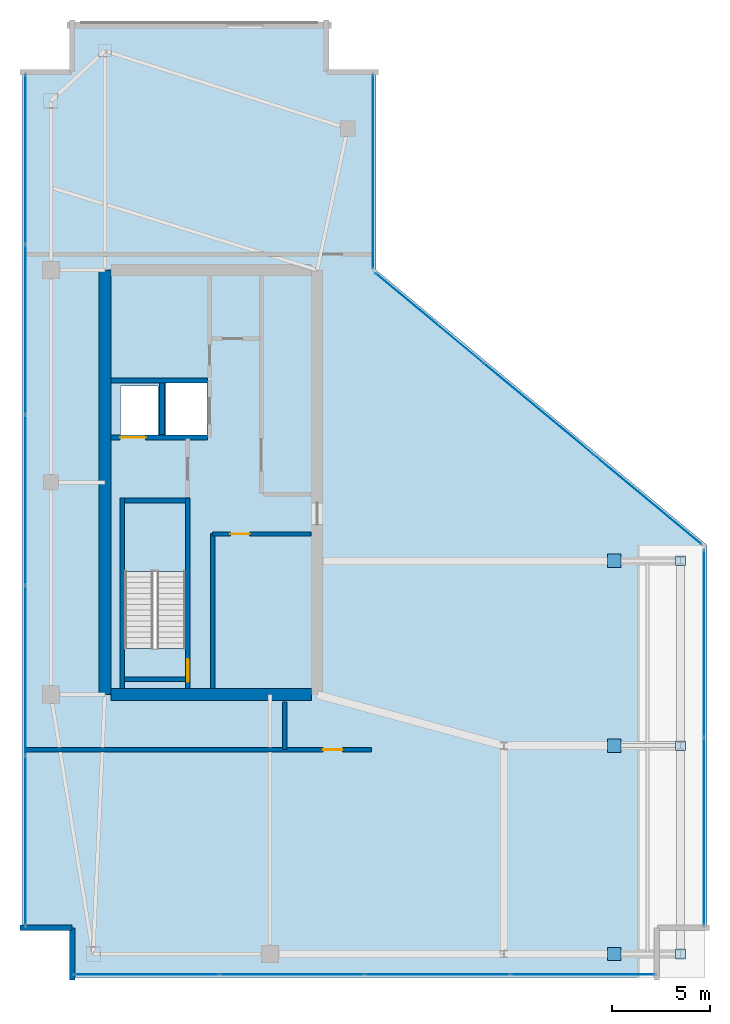
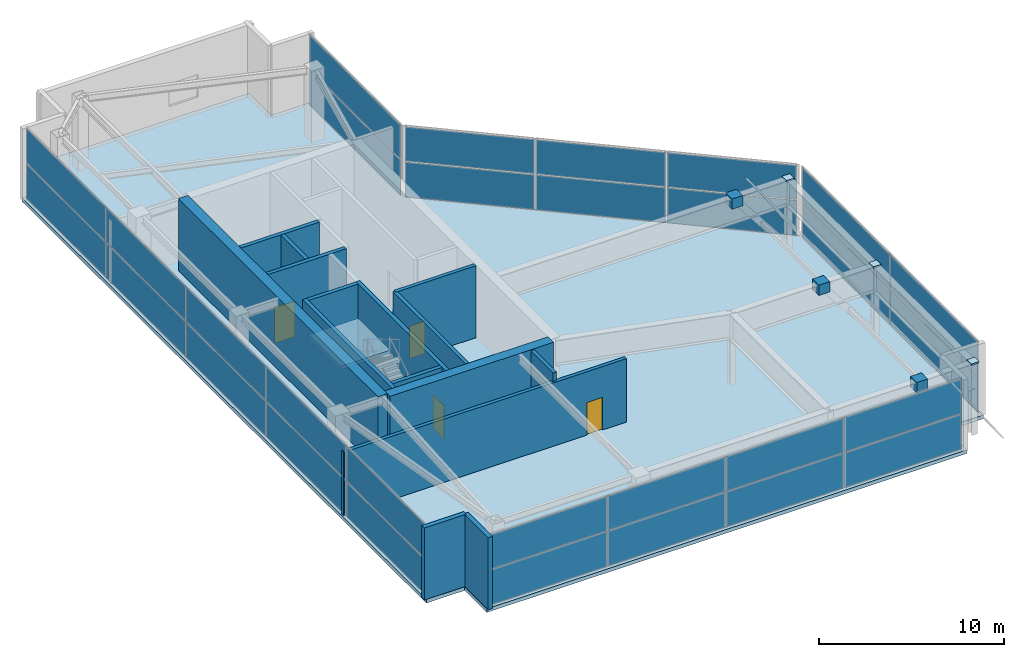
# One storey, part 18 of 21: 36 plates, 15 walls, 4 doors, 2 slabs, 4 openings, 6 elements without a shape of their own.
"""IFC4 building model written with IfcOpenShell, lengths in metres."""

import ifcopenshell
import ifcopenshell.guid

model = None  # the IFC model being written
_history = None  # IfcOwnerHistory: only IFC2X3 demands one
_inside = {}  # id of a spatial element -> (the spatial element, [elements in it])
_under = {}  # id of a project, library or spatial element -> (it, [spatial elements below it])
_declared = {}  # id of a project -> (the project, [libraries it declares])
_typed = {}  # id of a type object -> (the type object, [elements of that type])
_made_of = {}  # id of a material, layer set ... -> (it, [elements and type objects made of it])


def new_model(schema):
    """Start an empty IFC model of exactly this schema.

    Asked for "IFC4X3", IfcOpenShell would pick the latest addendum, in which some entities
    have other attributes; the version numbers below select the first issue.
    IFC2X3 requires an IfcOwnerHistory on every rooted entity: one is made here for all.
    """
    global model, _history
    if schema == "IFC4X3":
        model = ifcopenshell.file(schema_version=(4, 3, 0, 0))
    else:
        model = ifcopenshell.file(schema=schema)
    _inside.clear()
    _under.clear()
    _declared.clear()
    _typed.clear()
    _made_of.clear()
    _history = None
    if model.schema == "IFC2X3":
        org = make("IfcOrganization", Name="unknown")
        user = make(
            "IfcPersonAndOrganization",
            ThePerson=make("IfcPerson", FamilyName="unknown"),
            TheOrganization=org,
        )
        app = make(
            "IfcApplication",
            ApplicationDeveloper=org,
            Version="unknown",
            ApplicationFullName="unknown",
            ApplicationIdentifier="unknown",
        )
        _history = make(
            "IfcOwnerHistory",
            OwningUser=user,
            OwningApplication=app,
            ChangeAction="ADDED",
            CreationDate=0,
        )
    return model


def make(cls, **values):
    """One entity of the class cls with the attributes given. An attribute that is None is left unset."""
    return model.create_entity(
        cls, **{name: value for name, value in values.items() if value is not None}
    )


def rooted(cls, **values):
    """An entity with a GlobalId (a new one), such as an element, a storey or a relation."""
    return make(cls, GlobalId=ifcopenshell.guid.new(), OwnerHistory=_history, **values)


def si_unit(unit_type, name, prefix=None):
    """IfcSIUnit, for example si_unit("LENGTHUNIT", "METRE", prefix="MILLI")."""
    return make("IfcSIUnit", UnitType=unit_type, Prefix=prefix, Name=name)


def assignment(units):
    """IfcUnitAssignment: the units of a project."""
    return None if units is None else make("IfcUnitAssignment", Units=units)


def point(xyz):
    """IfcCartesianPoint."""
    return None if xyz is None else make("IfcCartesianPoint", Coordinates=xyz)


def direction(xyz):
    """IfcDirection."""
    return None if xyz is None else make("IfcDirection", DirectionRatios=xyz)


def frame(location, z_axis=None, x_axis=None):
    """IfcAxis2Placement3D, a coordinate frame: its origin and axes. An axis left out is left unset."""
    return make(
        "IfcAxis2Placement3D",
        Location=point(location),
        Axis=direction(z_axis),
        RefDirection=direction(x_axis),
    )


def frame_2d(location, x_axis=None):
    """IfcAxis2Placement2D, a coordinate frame in the plane: its origin and x axis."""
    return make(
        "IfcAxis2Placement2D", Location=point(location), RefDirection=direction(x_axis)
    )


def origin():
    """The frame at (0, 0, 0) with its axes left unset."""
    return frame((0.0, 0.0, 0.0))


def origin_2d():
    """The frame at (0, 0) in the plane with its x axis left unset."""
    return frame_2d((0.0, 0.0))


def place(relative_to, where):
    """IfcLocalPlacement: puts the frame where relative to a parent placement (None: the world)."""
    return make(
        "IfcLocalPlacement", PlacementRelTo=relative_to, RelativePlacement=where
    )


def context(
    kind, dimensions, precision=None, world=None, true_north=None, identifier=None
):
    """IfcGeometricRepresentationContext, for example the 3D "Model" context."""
    return make(
        "IfcGeometricRepresentationContext",
        ContextIdentifier=identifier,
        ContextType=kind,
        CoordinateSpaceDimension=dimensions,
        Precision=precision,
        WorldCoordinateSystem=world,
        TrueNorth=true_north,
    )


def subcontext(parent, identifier, kind, view, scale=None):
    """IfcGeometricRepresentationSubContext, for example "Body" below "Model"."""
    return make(
        "IfcGeometricRepresentationSubContext",
        ContextIdentifier=identifier,
        ContextType=kind,
        ParentContext=parent,
        TargetScale=scale,
        TargetView=view,
    )


def project(units=None, contexts=None):
    """IfcProject with its units and contexts."""
    return rooted(
        "IfcProject",
        Name="project",
        RepresentationContexts=contexts,
        UnitsInContext=assignment(units),
    )


def spatial(cls, under=None, at=None, **own):
    """A site, building, storey or space (cls), placed at a placement, below another one or the project."""
    s = rooted(cls, ObjectPlacement=at, **own)
    if under is not None:
        _under.setdefault(under.id(), (under, []))[1].append(s)
    return s


def polyline(points):
    """IfcPolyline through the points."""
    return make("IfcPolyline", Points=[point(p) for p in points])


def profile(cls, at=None, kind="AREA", **sizes):
    """A parametric profile (cls). Its sizes go by their IFC names, for example OverallWidth=200.0."""
    return make(cls, ProfileType=kind, Position=at, **sizes)


def rectangle(**sizes):
    """IfcRectangleProfileDef."""
    return profile("IfcRectangleProfileDef", **sizes)


def outline(outer, holes=None, kind="AREA"):
    """IfcArbitraryClosedProfileDef: a profile drawn as a closed curve; with holes, ...WithVoids."""
    if holes is None:
        return make("IfcArbitraryClosedProfileDef", ProfileType=kind, OuterCurve=outer)
    return make(
        "IfcArbitraryProfileDefWithVoids",
        ProfileType=kind,
        OuterCurve=outer,
        InnerCurves=holes,
    )


def extrude(swept, where, along, depth):
    """IfcExtrudedAreaSolid: the profile swept, set in the frame where, extruded along a direction by depth."""
    return make(
        "IfcExtrudedAreaSolid",
        SweptArea=swept,
        Position=where,
        ExtrudedDirection=direction(along),
        Depth=depth,
    )


def shape(context_of_items, identifier, shape_type, items):
    """IfcShapeRepresentation: the items that make up one representation, for example the "Body"."""
    return make(
        "IfcShapeRepresentation",
        ContextOfItems=context_of_items,
        RepresentationIdentifier=identifier,
        RepresentationType=shape_type,
        Items=items,
    )


def material(Name=None, Category=None):
    """IfcMaterial."""
    return make("IfcMaterial", Name=Name, Category=Category)


def layer(
    of_material, thickness, ventilated=None, Name=None, Category=None, Priority=None
):
    """IfcMaterialLayer: one layer of a wall or slab, of a material (None: an air gap)."""
    return make(
        "IfcMaterialLayer",
        Material=of_material,
        LayerThickness=thickness,
        IsVentilated=ventilated,
        Name=Name,
        Category=Category,
        Priority=Priority,
    )


def layer_set(layers, Name=None):
    """IfcMaterialLayerSet."""
    return make("IfcMaterialLayerSet", MaterialLayers=layers, LayerSetName=Name)


def made_of(thing, what):
    """Note that an element or type object is made of a material, layer set ...; save() writes the relation."""
    if what is not None:
        _made_of.setdefault(what.id(), (what, []))[1].append(thing)
    return thing


def type_object(cls, material=None, **own):
    """A type object (cls), such as IfcWallType, which elements share."""
    return made_of(rooted(cls, **own), material)


def element(
    cls,
    number,
    at=None,
    inside=None,
    cuts=None,
    type_object=None,
    material=None,
    context=None,
    identifier="Body",
    shape_type=None,
    held_by="IfcProductDefinitionShape",
    body=None,
    shapes=None,
    **own,
):
    """One element of the class cls, such as IfcWall. Its Tag is "e" and its number.

    at: its placement. inside: the storey or other place that contains it. cuts: it is an
    opening in that element (IfcRelVoidsElement). A single representation is given by context,
    identifier, shape_type and body (its items); several are given by shapes. held_by: the class
    of the entity that holds the representations. save() writes the other relations.
    """
    e = rooted(cls, Tag="e%d" % number, ObjectPlacement=at, **own)
    if body is not None:
        shapes = [shape(context, identifier, shape_type, body)]
    if shapes is not None:
        e.Representation = make(held_by, Representations=shapes)
    if inside is not None:
        _inside.setdefault(inside.id(), (inside, []))[1].append(e)
    if cuts is not None:
        rooted(
            "IfcRelVoidsElement", RelatingBuildingElement=cuts, RelatedOpeningElement=e
        )
    if type_object is not None:
        _typed.setdefault(type_object.id(), (type_object, []))[1].append(e)
    return made_of(e, material)


def fill(opening, filler):
    """IfcRelFillsElement: the door or window that sits in an opening."""
    return rooted(
        "IfcRelFillsElement",
        RelatingOpeningElement=opening,
        RelatedBuildingElement=filler,
    )


def aggregate(whole, parts):
    """IfcRelAggregates: a whole, such as a stair, and the parts it consists of."""
    return rooted("IfcRelAggregates", RelatingObject=whole, RelatedObjects=parts)


def save(model, path):
    """Write the relations noted so far, then the file.

    IfcRelAggregates (storeys below a building ...), IfcRelContainedInSpatialStructure (elements
    in a storey), IfcRelDefinesByType, IfcRelAssociatesMaterial and IfcRelDeclares: one each for
    every whole, place, type object, material and project.
    """
    for whole, parts in _under.values():
        aggregate(whole, parts)
    for where, things in _inside.values():
        rooted(
            "IfcRelContainedInSpatialStructure",
            RelatedElements=things,
            RelatingStructure=where,
        )
    for kind, things in _typed.values():
        rooted("IfcRelDefinesByType", RelatedObjects=things, RelatingType=kind)
    for what, things in _made_of.values():
        rooted("IfcRelAssociatesMaterial", RelatedObjects=things, RelatingMaterial=what)
    for by, libraries in _declared.values():
        rooted("IfcRelDeclares", RelatingContext=by, RelatedDefinitions=libraries)
    model.write(path)


model = new_model("IFC4")

# Units and contexts
model_context = context("Model", 3, precision=1e-05, world=origin(), true_north=direction((0.0, 1.0)))
body_context = subcontext(model_context, "Body", "Model", "MODEL_VIEW")
ifc_project = project(units=[si_unit("LENGTHUNIT", "METRE"), si_unit("AREAUNIT", "SQUARE_METRE"), si_unit("VOLUMEUNIT", "CUBIC_METRE"), si_unit("PLANEANGLEUNIT", "RADIAN"), si_unit("MASSUNIT", "GRAM", prefix="KILO")], contexts=[model_context])

# Site, building, storey
site_placement = place(None, origin())
site = spatial("IfcSite", under=ifc_project, at=site_placement, CompositionType="ELEMENT")
building_placement = place(site_placement, origin())
building = spatial("IfcBuilding", under=site, at=building_placement, Name="Calvorn Quay Hotel", CompositionType="ELEMENT")
storey_placement = place(building_placement, frame((0.0, 0.0, 320.5)))
storey = spatial("IfcBuildingStorey", under=building, at=storey_placement, Name="L79", CompositionType="ELEMENT", Elevation=320.5)

# Curtain wall, plates
ifc_material_1 = material(Name="Pale Anodised Aluminium and Laminated Glass", Category="aluminium")
ifc_layer_1 = layer(ifc_material_1, 0.219970703125)
ifc_layer_set_1 = layer_set([ifc_layer_1], Name="CW-SYS-CRN")
curtain_wall_type = type_object("IfcCurtainWallType", Name="CW-SYS-CRN", PredefinedType="NOTDEFINED", material=ifc_layer_set_1)
curtain_wall_1_placement = place(storey_placement, origin())
curtain_wall_1 = element("IfcCurtainWall", 1, at=curtain_wall_1_placement, inside=storey, type_object=curtain_wall_type, Name="Crown Curtain Wall L79-C1", PredefinedType="NOTDEFINED")
ifc_material_2 = material(Name="Low-E Laminated Double Glazing", Category="glass")
ifc_layer_2 = layer(ifc_material_2, 0.028076171875)
ifc_layer_set_2 = layer_set([ifc_layer_2], Name="CW-SYS-CRN-PAN")
plate_type_1 = type_object("IfcPlateType", Name="CW-SYS-CRN-PAN", PredefinedType="CURTAIN_PANEL", material=ifc_layer_set_2)
plate_1_placement = place(storey_placement, frame((6.334228515625, 2.550048828125, 0.06005859375), z_axis=(0.0, 0.0, 1.0), x_axis=(1.0, 0.0, 0.0)))
plate_1 = element("IfcPlate", 2, at=plate_1_placement, type_object=plate_type_1, Name="CW-L79-C1 panel 1.1", PredefinedType="CURTAIN_PANEL", context=body_context, shape_type="SweptSolid", body=[
    extrude(rectangle(XDim=7.308349609375, YDim=0.028076171875, at=origin_2d()), origin(), (0.0, 0.0, 1.0), 2.31005859375),
])
plate_2_placement = place(storey_placement, frame((6.334228515625, 2.550048828125, 2.429931640625), z_axis=(0.0, 0.0, 1.0), x_axis=(1.0, 0.0, 0.0)))
plate_2 = element("IfcPlate", 3, at=plate_2_placement, type_object=plate_type_1, Name="CW-L79-C1 panel 1.2", PredefinedType="CURTAIN_PANEL", context=body_context, shape_type="SweptSolid", body=[
    extrude(rectangle(XDim=7.308349609375, YDim=0.028076171875, at=origin_2d()), origin(), (0.0, 0.0, 1.0), 2.27001953125),
])
plate_3_placement = place(storey_placement, frame((13.71728515625, 2.550048828125, 0.06005859375), z_axis=(0.0, 0.0, 1.0), x_axis=(1.0, 0.0, 0.0)))
plate_3 = element("IfcPlate", 4, at=plate_3_placement, type_object=plate_type_1, Name="CW-L79-C1 panel 2.1", PredefinedType="CURTAIN_PANEL", context=body_context, shape_type="SweptSolid", body=[
    extrude(rectangle(XDim=7.338134765625, YDim=0.028076171875, at=origin_2d()), origin(), (0.0, 0.0, 1.0), 2.31005859375),
])
plate_4_placement = place(storey_placement, frame((13.71728515625, 2.550048828125, 2.429931640625), z_axis=(0.0, 0.0, 1.0), x_axis=(1.0, 0.0, 0.0)))
plate_4 = element("IfcPlate", 5, at=plate_4_placement, type_object=plate_type_1, Name="CW-L79-C1 panel 2.2", PredefinedType="CURTAIN_PANEL", context=body_context, shape_type="SweptSolid", body=[
    extrude(rectangle(XDim=7.338134765625, YDim=0.028076171875, at=origin_2d()), origin(), (0.0, 0.0, 1.0), 2.27001953125),
])
plate_5_placement = place(storey_placement, frame((21.11572265625, 2.550048828125, 0.06005859375), z_axis=(0.0, 0.0, 1.0), x_axis=(1.0, 0.0, 0.0)))
plate_5 = element("IfcPlate", 6, at=plate_5_placement, type_object=plate_type_1, Name="CW-L79-C1 panel 3.1", PredefinedType="CURTAIN_PANEL", context=body_context, shape_type="SweptSolid", body=[
    extrude(rectangle(XDim=7.338134765625, YDim=0.028076171875, at=origin_2d()), origin(), (0.0, 0.0, 1.0), 2.31005859375),
])
plate_6_placement = place(storey_placement, frame((21.11572265625, 2.550048828125, 2.429931640625), z_axis=(0.0, 0.0, 1.0), x_axis=(1.0, 0.0, 0.0)))
plate_6 = element("IfcPlate", 7, at=plate_6_placement, type_object=plate_type_1, Name="CW-L79-C1 panel 3.2", PredefinedType="CURTAIN_PANEL", context=body_context, shape_type="SweptSolid", body=[
    extrude(rectangle(XDim=7.338134765625, YDim=0.028076171875, at=origin_2d()), origin(), (0.0, 0.0, 1.0), 2.27001953125),
])
plate_7_placement = place(storey_placement, frame((28.498779296875, 2.550048828125, 0.06005859375), z_axis=(0.0, 0.0, 1.0), x_axis=(1.0, 0.0, 0.0)))
plate_7 = element("IfcPlate", 8, at=plate_7_placement, type_object=plate_type_1, Name="CW-L79-C1 panel 4.1", PredefinedType="CURTAIN_PANEL", context=body_context, shape_type="SweptSolid", body=[
    extrude(rectangle(XDim=7.308349609375, YDim=0.028076171875, at=origin_2d()), origin(), (0.0, 0.0, 1.0), 2.31005859375),
])
plate_8_placement = place(storey_placement, frame((28.498779296875, 2.550048828125, 2.429931640625), z_axis=(0.0, 0.0, 1.0), x_axis=(1.0, 0.0, 0.0)))
plate_8 = element("IfcPlate", 9, at=plate_8_placement, type_object=plate_type_1, Name="CW-L79-C1 panel 4.2", PredefinedType="CURTAIN_PANEL", context=body_context, shape_type="SweptSolid", body=[
    extrude(rectangle(XDim=7.308349609375, YDim=0.028076171875, at=origin_2d()), origin(), (0.0, 0.0, 1.0), 2.27001953125),
])
aggregate(curtain_wall_1, [plate_1, plate_2, plate_3, plate_4, plate_5, plate_6, plate_7, plate_8])

curtain_wall_2_placement = place(storey_placement, origin())
curtain_wall_2 = element("IfcCurtainWall", 10, at=curtain_wall_2_placement, inside=storey, type_object=curtain_wall_type, Name="Crown Curtain Wall L79-C2", PredefinedType="NOTDEFINED")
plate_9_placement = place(storey_placement, frame((34.68310546875, 9.824951171875, 0.06005859375), z_axis=(0.0, 0.0, 1.0), x_axis=(0.0, 1.0, 0.0)))
plate_9 = element("IfcPlate", 11, at=plate_9_placement, type_object=plate_type_1, Name="CW-L79-C2 panel 1.1", PredefinedType="CURTAIN_PANEL", context=body_context, shape_type="SweptSolid", body=[
    extrude(rectangle(XDim=9.489990234375, YDim=0.028076171875, at=origin_2d()), origin(), (0.0, 0.0, 1.0), 2.31005859375),
])
plate_10_placement = place(storey_placement, frame((34.68310546875, 9.824951171875, 2.429931640625), z_axis=(0.0, 0.0, 1.0), x_axis=(0.0, 1.0, 0.0)))
plate_10 = element("IfcPlate", 12, at=plate_10_placement, type_object=plate_type_1, Name="CW-L79-C2 panel 1.2", PredefinedType="CURTAIN_PANEL", context=body_context, shape_type="SweptSolid", body=[
    extrude(rectangle(XDim=9.489990234375, YDim=0.028076171875, at=origin_2d()), origin(), (0.0, 0.0, 1.0), 2.27001953125),
])
plate_11_placement = place(storey_placement, frame((34.68310546875, 19.375, 0.06005859375), z_axis=(0.0, 0.0, 1.0), x_axis=(0.0, 1.0, 0.0)))
plate_11 = element("IfcPlate", 13, at=plate_11_placement, type_object=plate_type_1, Name="CW-L79-C2 panel 2.1", PredefinedType="CURTAIN_PANEL", context=body_context, shape_type="SweptSolid", body=[
    extrude(rectangle(XDim=9.489990234375, YDim=0.028076171875, at=origin_2d()), origin(), (0.0, 0.0, 1.0), 2.31005859375),
])
plate_12_placement = place(storey_placement, frame((34.68310546875, 19.375, 2.429931640625), z_axis=(0.0, 0.0, 1.0), x_axis=(0.0, 1.0, 0.0)))
plate_12 = element("IfcPlate", 14, at=plate_12_placement, type_object=plate_type_1, Name="CW-L79-C2 panel 2.2", PredefinedType="CURTAIN_PANEL", context=body_context, shape_type="SweptSolid", body=[
    extrude(rectangle(XDim=9.489990234375, YDim=0.028076171875, at=origin_2d()), origin(), (0.0, 0.0, 1.0), 2.27001953125),
])
aggregate(curtain_wall_2, [plate_9, plate_10, plate_11, plate_12])

curtain_wall_3_placement = place(storey_placement, origin())
curtain_wall_3 = element("IfcCurtainWall", 15, at=curtain_wall_3_placement, inside=storey, type_object=curtain_wall_type, Name="Crown Curtain Wall L79-C3", PredefinedType="NOTDEFINED")
plate_13_placement = place(storey_placement, frame((31.78173828125, 26.7431640625, 0.06005859375), z_axis=(0.0, 0.0, 1.0), x_axis=(-0.768860610759, 0.639416422391, 0.0)))
plate_13 = element("IfcPlate", 16, at=plate_13_placement, type_object=plate_type_1, Name="CW-L79-C3 panel 1.1", PredefinedType="CURTAIN_PANEL", context=body_context, shape_type="SweptSolid", body=[
    extrude(rectangle(XDim=7.1279296875, YDim=0.028076171875, at=origin_2d()), origin(), (0.0, 0.0, 1.0), 2.31005859375),
])
plate_14_placement = place(storey_placement, frame((31.78173828125, 26.7431640625, 2.429931640625), z_axis=(0.0, 0.0, 1.0), x_axis=(-0.768860610759, 0.639416422391, 0.0)))
plate_14 = element("IfcPlate", 17, at=plate_14_placement, type_object=plate_type_1, Name="CW-L79-C3 panel 1.2", PredefinedType="CURTAIN_PANEL", context=body_context, shape_type="SweptSolid", body=[
    extrude(rectangle(XDim=7.1279296875, YDim=0.028076171875, at=origin_2d()), origin(), (0.0, 0.0, 1.0), 2.27001953125),
])
plate_15_placement = place(storey_placement, frame((26.243408203125, 31.34912109375, 0.06005859375), z_axis=(0.0, 0.0, 1.0), x_axis=(-0.768860610759, 0.639416422391, 0.0)))
plate_15 = element("IfcPlate", 18, at=plate_15_placement, type_object=plate_type_1, Name="CW-L79-C3 panel 2.1", PredefinedType="CURTAIN_PANEL", context=body_context, shape_type="SweptSolid", body=[
    extrude(rectangle(XDim=7.157958984375, YDim=0.028076171875, at=origin_2d()), origin(), (0.0, 0.0, 1.0), 2.31005859375),
])
plate_16_placement = place(storey_placement, frame((26.243408203125, 31.34912109375, 2.429931640625), z_axis=(0.0, 0.0, 1.0), x_axis=(-0.768860610759, 0.639416422391, 0.0)))
plate_16 = element("IfcPlate", 19, at=plate_16_placement, type_object=plate_type_1, Name="CW-L79-C3 panel 2.2", PredefinedType="CURTAIN_PANEL", context=body_context, shape_type="SweptSolid", body=[
    extrude(rectangle(XDim=7.157958984375, YDim=0.028076171875, at=origin_2d()), origin(), (0.0, 0.0, 1.0), 2.27001953125),
])
plate_17_placement = place(storey_placement, frame((20.705322265625, 35.954833984375, 0.06005859375), z_axis=(0.0, 0.0, 1.0), x_axis=(-0.768860610759, 0.639416422391, 0.0)))
plate_17 = element("IfcPlate", 20, at=plate_17_placement, type_object=plate_type_1, Name="CW-L79-C3 panel 3.1", PredefinedType="CURTAIN_PANEL", context=body_context, shape_type="SweptSolid", body=[
    extrude(rectangle(XDim=7.1279296875, YDim=0.028076171875, at=origin_2d()), origin(), (0.0, 0.0, 1.0), 2.31005859375),
])
plate_18_placement = place(storey_placement, frame((20.705322265625, 35.954833984375, 2.429931640625), z_axis=(0.0, 0.0, 1.0), x_axis=(-0.768860610759, 0.639416422391, 0.0)))
plate_18 = element("IfcPlate", 21, at=plate_18_placement, type_object=plate_type_1, Name="CW-L79-C3 panel 3.2", PredefinedType="CURTAIN_PANEL", context=body_context, shape_type="SweptSolid", body=[
    extrude(rectangle(XDim=7.1279296875, YDim=0.028076171875, at=origin_2d()), origin(), (0.0, 0.0, 1.0), 2.27001953125),
])
aggregate(curtain_wall_3, [plate_13, plate_14, plate_15, plate_16, plate_17, plate_18])

curtain_wall_4_placement = place(storey_placement, origin())
curtain_wall_4 = element("IfcCurtainWall", 22, at=curtain_wall_4_placement, inside=storey, type_object=curtain_wall_type, Name="Crown Curtain Wall L79-C4", PredefinedType="NOTDEFINED")
plate_19_placement = place(storey_placement, frame((17.85009765625, 43.39990234375, 0.06005859375), z_axis=(0.0, 0.0, 1.0), x_axis=(0.0, 1.0, 0.0)))
plate_19 = element("IfcPlate", 23, at=plate_19_placement, type_object=plate_type_1, Name="CW-L79-C4 panel 1.1", PredefinedType="CURTAIN_PANEL", context=body_context, shape_type="SweptSolid", body=[
    extrude(rectangle(XDim=9.840087890625, YDim=0.028076171875, at=origin_2d()), origin(), (0.0, 0.0, 1.0), 2.31005859375),
])
plate_20_placement = place(storey_placement, frame((17.85009765625, 43.39990234375, 2.429931640625), z_axis=(0.0, 0.0, 1.0), x_axis=(0.0, 1.0, 0.0)))
plate_20 = element("IfcPlate", 24, at=plate_20_placement, type_object=plate_type_1, Name="CW-L79-C4 panel 1.2", PredefinedType="CURTAIN_PANEL", context=body_context, shape_type="SweptSolid", body=[
    extrude(rectangle(XDim=9.840087890625, YDim=0.028076171875, at=origin_2d()), origin(), (0.0, 0.0, 1.0), 2.27001953125),
])
aggregate(curtain_wall_4, [plate_19, plate_20])

curtain_wall_5_placement = place(storey_placement, origin())
curtain_wall_5 = element("IfcCurtainWall", 25, at=curtain_wall_5_placement, inside=storey, type_object=curtain_wall_type, Name="Crown Curtain Wall L79-C5", PredefinedType="NOTDEFINED")
plate_21_placement = place(storey_placement, frame((0.14990234375, 44.029052734375, 0.06005859375), z_axis=(0.0, 0.0, 1.0), x_axis=(0.0, -1.0, 0.0)))
plate_21 = element("IfcPlate", 26, at=plate_21_placement, type_object=plate_type_1, Name="CW-L79-C5 panel 1.1", PredefinedType="CURTAIN_PANEL", context=body_context, shape_type="SweptSolid", body=[
    extrude(rectangle(XDim=8.58203125, YDim=0.028076171875, at=origin_2d()), origin(), (0.0, 0.0, 1.0), 2.31005859375),
])
plate_22_placement = place(storey_placement, frame((0.14990234375, 44.029052734375, 2.429931640625), z_axis=(0.0, 0.0, 1.0), x_axis=(0.0, -1.0, 0.0)))
plate_22 = element("IfcPlate", 27, at=plate_22_placement, type_object=plate_type_1, Name="CW-L79-C5 panel 1.2", PredefinedType="CURTAIN_PANEL", context=body_context, shape_type="SweptSolid", body=[
    extrude(rectangle(XDim=8.58203125, YDim=0.028076171875, at=origin_2d()), origin(), (0.0, 0.0, 1.0), 2.27001953125),
])
plate_23_placement = place(storey_placement, frame((0.14990234375, 35.3720703125, 0.06005859375), z_axis=(0.0, 0.0, 1.0), x_axis=(0.0, -1.0, 0.0)))
plate_23 = element("IfcPlate", 28, at=plate_23_placement, type_object=plate_type_1, Name="CW-L79-C5 panel 2.1", PredefinedType="CURTAIN_PANEL", context=body_context, shape_type="SweptSolid", body=[
    extrude(rectangle(XDim=8.612060546875, YDim=0.028076171875, at=origin_2d()), origin(), (0.0, 0.0, 1.0), 2.31005859375),
])
plate_24_placement = place(storey_placement, frame((0.14990234375, 35.3720703125, 2.429931640625), z_axis=(0.0, 0.0, 1.0), x_axis=(0.0, -1.0, 0.0)))
plate_24 = element("IfcPlate", 29, at=plate_24_placement, type_object=plate_type_1, Name="CW-L79-C5 panel 2.2", PredefinedType="CURTAIN_PANEL", context=body_context, shape_type="SweptSolid", body=[
    extrude(rectangle(XDim=8.612060546875, YDim=0.028076171875, at=origin_2d()), origin(), (0.0, 0.0, 1.0), 2.27001953125),
])
plate_25_placement = place(storey_placement, frame((0.14990234375, 26.699951171875, 0.06005859375), z_axis=(0.0, 0.0, 1.0), x_axis=(0.0, -1.0, 0.0)))
plate_25 = element("IfcPlate", 30, at=plate_25_placement, type_object=plate_type_1, Name="CW-L79-C5 panel 3.1", PredefinedType="CURTAIN_PANEL", context=body_context, shape_type="SweptSolid", body=[
    extrude(rectangle(XDim=8.612060546875, YDim=0.028076171875, at=origin_2d()), origin(), (0.0, 0.0, 1.0), 2.31005859375),
])
plate_26_placement = place(storey_placement, frame((0.14990234375, 26.699951171875, 2.429931640625), z_axis=(0.0, 0.0, 1.0), x_axis=(0.0, -1.0, 0.0)))
plate_26 = element("IfcPlate", 31, at=plate_26_placement, type_object=plate_type_1, Name="CW-L79-C5 panel 3.2", PredefinedType="CURTAIN_PANEL", context=body_context, shape_type="SweptSolid", body=[
    extrude(rectangle(XDim=8.612060546875, YDim=0.028076171875, at=origin_2d()), origin(), (0.0, 0.0, 1.0), 2.27001953125),
])
plate_27_placement = place(storey_placement, frame((0.14990234375, 18.028076171875, 0.06005859375), z_axis=(0.0, 0.0, 1.0), x_axis=(0.0, -1.0, 0.0)))
plate_27 = element("IfcPlate", 32, at=plate_27_placement, type_object=plate_type_1, Name="CW-L79-C5 panel 4.1", PredefinedType="CURTAIN_PANEL", context=body_context, shape_type="SweptSolid", body=[
    extrude(rectangle(XDim=8.612060546875, YDim=0.028076171875, at=origin_2d()), origin(), (0.0, 0.0, 1.0), 2.31005859375),
])
plate_28_placement = place(storey_placement, frame((0.14990234375, 18.028076171875, 2.429931640625), z_axis=(0.0, 0.0, 1.0), x_axis=(0.0, -1.0, 0.0)))
plate_28 = element("IfcPlate", 33, at=plate_28_placement, type_object=plate_type_1, Name="CW-L79-C5 panel 4.2", PredefinedType="CURTAIN_PANEL", context=body_context, shape_type="SweptSolid", body=[
    extrude(rectangle(XDim=8.612060546875, YDim=0.028076171875, at=origin_2d()), origin(), (0.0, 0.0, 1.0), 2.27001953125),
])
plate_29_placement = place(storey_placement, frame((0.14990234375, 9.37109375, 0.06005859375), z_axis=(0.0, 0.0, 1.0), x_axis=(0.0, -1.0, 0.0)))
plate_29 = element("IfcPlate", 34, at=plate_29_placement, type_object=plate_type_1, Name="CW-L79-C5 panel 5.1", PredefinedType="CURTAIN_PANEL", context=body_context, shape_type="SweptSolid", body=[
    extrude(rectangle(XDim=8.58203125, YDim=0.028076171875, at=origin_2d()), origin(), (0.0, 0.0, 1.0), 2.31005859375),
])
plate_30_placement = place(storey_placement, frame((0.14990234375, 9.37109375, 2.429931640625), z_axis=(0.0, 0.0, 1.0), x_axis=(0.0, -1.0, 0.0)))
plate_30 = element("IfcPlate", 35, at=plate_30_placement, type_object=plate_type_1, Name="CW-L79-C5 panel 5.2", PredefinedType="CURTAIN_PANEL", context=body_context, shape_type="SweptSolid", body=[
    extrude(rectangle(XDim=8.58203125, YDim=0.028076171875, at=origin_2d()), origin(), (0.0, 0.0, 1.0), 2.27001953125),
])
aggregate(curtain_wall_5, [plate_21, plate_22, plate_23, plate_24, plate_25, plate_26, plate_27, plate_28, plate_29, plate_30])

# Plates
ifc_material_3 = material(Name="Steel Q390GJC", Category="steel")
ifc_layer_3 = layer(ifc_material_3, 0.031982421875)
ifc_layer_set_3 = layer_set([ifc_layer_3], Name="PLT-SPLICE-32")
plate_type_2 = type_object("IfcPlateType", Name="PLT-SPLICE-32", PredefinedType="USERDEFINED", material=ifc_layer_set_3)
for number, where, z_axis, x_axis, name in (
    (36, (33.48291015625, 3.60009765625, 4.699951171875), (0.0, 0.0, 1.0), (1.0, 0.0, 0.0), "Column Top Cap Plate C-CR1 (L79)"),
    (37, (33.48291015625, 14.199951171875, 4.699951171875), (0.0, 0.0, 1.0), (1.0, 0.0, 0.0), "Column Top Cap Plate C-CR2 (L79)"),
    (38, (33.48291015625, 23.60009765625, 4.699951171875), (0.0, 0.0, 1.0), (1.0, 0.0, 0.0), "Column Top Cap Plate C-CR3 (L79)"),
):
    element("IfcPlate", number, at=place(storey_placement, frame(where, z_axis=z_axis, x_axis=x_axis)), inside=storey, type_object=plate_type_2, Name=name, ObjectType="SPLICE_PLATE", PredefinedType="USERDEFINED", context=body_context, shape_type="SweptSolid", body=[
        extrude(rectangle(XDim=0.489990234375, YDim=0.489990234375, at=origin_2d()), origin(), (0.0, 0.0, 1.0), 0.10009765625),
    ])
for number, where, z_axis, x_axis, name in (
    (39, (30.116943359375, 3.60009765625, 4.169921875), (0.0, 0.0, 1.0), (1.0, 0.0, 0.0), "Raking Rafter End Cap Plate L79-1"),
    (40, (30.116943359375, 14.199951171875, 4.169921875), (0.0, 0.0, 1.0), (1.0, 0.0, 0.0), "Raking Rafter End Cap Plate L79-2"),
    (41, (30.116943359375, 23.60009765625, 4.169921875), (0.0, 0.0, 1.0), (1.0, 0.0, 0.0), "Raking Rafter End Cap Plate L79-3"),
):
    element("IfcPlate", number, at=place(storey_placement, frame(where, z_axis=z_axis, x_axis=x_axis)), inside=storey, type_object=plate_type_2, Name=name, ObjectType="SPLICE_PLATE", PredefinedType="USERDEFINED", context=body_context, shape_type="SweptSolid", body=[
        extrude(rectangle(XDim=0.679931640625, YDim=0.679931640625, at=origin_2d()), origin(), (0.0, 0.0, 1.0), 0.679931640625),
    ])

# Stair, slab
ifc_material_4 = material(Name="Concrete C40", Category="concrete")
stair_type = type_object("IfcStairType", Name="STR-CORE-DOGLEG", PredefinedType="HALF_TURN_STAIR", material=ifc_material_4)
stair_placement = place(storey_placement, origin())
stair = element("IfcStair", 42, at=stair_placement, inside=storey, type_object=stair_type, Name="L79 ST-W", PredefinedType="HALF_TURN_STAIR")
ifc_material_5 = material(Name="Concrete C40", Category="concrete")
ifc_layer_4 = layer(ifc_material_5, 0.199951171875)
ifc_layer_set_4 = layer_set([ifc_layer_4], Name="SLB-STAIR-LANDING-200")
slab_type_1 = type_object("IfcSlabType", Name="SLB-STAIR-LANDING-200", PredefinedType="LANDING", material=ifc_layer_set_4)
slab_1_placement = place(storey_placement, frame((0.0, 0.0, 2.300048828125)))
slab_1 = element("IfcSlab", 43, at=slab_1_placement, type_object=slab_type_1, Name="ST-W landing 1", PredefinedType="LANDING", context=body_context, shape_type="SweptSolid", body=[
    extrude(outline(polyline([(8.300048828125, 23.070068359375), (8.300048828125, 26.550048828125), (5.199951171875, 26.550048828125), (5.199951171875, 23.070068359375), (8.300048828125, 23.070068359375)])), origin(), (0.0, 0.0, 1.0), 0.199951171875),
])
aggregate(stair, [slab_1])

# Slab
ifc_material_6 = material(Name="Concrete C40", Category="concrete")
ifc_layer_5 = layer(ifc_material_6, 0.239990234375)
ifc_layer_set_5 = layer_set([ifc_layer_5], Name="SLB-TOWER-240")
slab_type_2 = type_object("IfcSlabType", Name="SLB-TOWER-240", PredefinedType="FLOOR", material=ifc_layer_set_5)
slab_2_placement = place(storey_placement, frame((0.0, 0.0, -0.239990234375)))
element("IfcSlab", 44, at=slab_2_placement, inside=storey, type_object=slab_type_2, Name="L79 Structural Floor Slab", PredefinedType="FLOOR", context=body_context, shape_type="SweptSolid", body=[
    extrude(outline(polyline([(0.0, 4.800048828125), (2.39990234375, 4.800048828125), (2.39990234375, 2.39990234375), (32.43310546875, 2.39990234375), (32.43310546875, 4.800048828125), (34.8330078125, 4.800048828125), (34.8330078125, 24.39990234375), (18.0, 38.39990234375), (18.0, 48.60009765625), (15.60009765625, 48.60009765625), (15.60009765625, 51.0), (2.39990234375, 51.0), (2.39990234375, 48.60009765625), (0.0, 48.60009765625), (0.0, 4.800048828125)]), holes=[polyline([(5.199951171875, 19.156005859375), (8.300048828125, 19.156005859375), (8.300048828125, 26.550048828125), (5.199951171875, 26.550048828125), (5.199951171875, 19.156005859375)]), polyline([(5.0, 30.0), (6.89990234375, 30.0), (6.89990234375, 32.5), (5.0, 32.5), (5.0, 30.0)]), polyline([(7.300048828125, 30.0), (9.39990234375, 30.0), (9.39990234375, 32.64990234375), (7.300048828125, 32.64990234375), (7.300048828125, 30.0)])]), origin(), (0.0, 0.0, 1.0), 0.239990234375),
])

# Walls
ifc_material_7 = material(Name="Concrete C45", Category="concrete")
ifc_layer_6 = layer(ifc_material_7, 0.60009765625)
ifc_layer_set_6 = layer_set([ifc_layer_6], Name="WL-CORE-600")
wall_type_1 = type_object("IfcWallType", Name="WL-CORE-600", PredefinedType="SHEAR", material=ifc_layer_set_6)
wall_1_placement = place(storey_placement, frame((4.199951171875, 16.800048828125, 0.0), z_axis=(0.0, 0.0, 1.0), x_axis=(0.0, 1.0, 0.0)))
element("IfcWall", 45, at=wall_1_placement, inside=storey, type_object=wall_type_1, Name="West Core Shear Wall W (L79)", PredefinedType="SHEAR", context=body_context, shape_type="SweptSolid", body=[
    extrude(rectangle(XDim=21.599853515625, YDim=0.60009765625, at=frame_2d((10.7998046875, 0.0))), origin(), (0.0, 0.0, 1.0), 4.760009765625),
])
wall_2_placement = place(storey_placement, frame((4.5, 16.800048828125, 0.0), z_axis=(0.0, 0.0, 1.0), x_axis=(1.0, 0.0, 0.0)))
element("IfcWall", 46, at=wall_2_placement, inside=storey, type_object=wall_type_1, Name="West Core Shear Wall S (L79)", PredefinedType="SHEAR", context=body_context, shape_type="SweptSolid", body=[
    extrude(rectangle(XDim=10.199951171875, YDim=0.60009765625, at=frame_2d((5.10009765625, 0.0))), origin(), (0.0, 0.0, 1.0), 4.760009765625),
])
ifc_material_8 = material(Name="Concrete C40", Category="concrete")
ifc_layer_7 = layer(ifc_material_8, 0.320068359375)
ifc_layer_set_7 = layer_set([ifc_layer_7], Name="WL-EXT-SPANDREL-320")
wall_type_2 = type_object("IfcWallType", Name="WL-EXT-SPANDREL-320", PredefinedType="SOLIDWALL", material=ifc_layer_set_7)
wall_3_placement = place(storey_placement, frame((-0.1201171875, 4.949951171875, 0.0), z_axis=(0.0, 0.0, 1.0), x_axis=(1.0, 0.0, 0.0)))
element("IfcWall", 47, at=wall_3_placement, inside=storey, type_object=wall_type_2, Name="Crown Notched Corner Spandrel L79-C1", PredefinedType="SOLIDWALL", context=body_context, shape_type="SweptSolid", body=[
    extrude(rectangle(XDim=2.64013671875, YDim=0.280029296875, at=frame_2d((1.320068359375, 0.0))), origin(), (0.0, 0.0, 1.0), 4.760009765625),
])
wall_4_placement = place(storey_placement, frame((2.550048828125, 4.919921875, 0.0), z_axis=(0.0, 0.0, 1.0), x_axis=(0.0, -1.0, 0.0)))
element("IfcWall", 48, at=wall_4_placement, inside=storey, type_object=wall_type_2, Name="Crown Notched Corner Spandrel L79-C2", PredefinedType="SOLIDWALL", context=body_context, shape_type="SweptSolid", body=[
    extrude(rectangle(XDim=2.639892578125, YDim=0.280029296875, at=frame_2d((1.31982421875, 0.0))), origin(), (0.0, 0.0, 1.0), 4.760009765625),
])
ifc_material_9 = material(Name="Autoclaved Aerated Masonry Block", Category="masonry")
ifc_layer_8 = layer(ifc_material_9, 0.219970703125)
ifc_layer_set_8 = layer_set([ifc_layer_8], Name="WL-LOBBY-FIRE-220")
wall_type_3 = type_object("IfcWallType", Name="WL-LOBBY-FIRE-220", PredefinedType="SOLIDWALL", material=ifc_layer_set_8)
wall_5_placement = place(storey_placement, frame((9.679931640625, 17.1201171875, 0.0), z_axis=(0.0, 0.0, 1.0), x_axis=(0.0, 1.0, 0.0)))
element("IfcWall", 49, at=wall_5_placement, inside=storey, type_object=wall_type_3, Name="Partition Wall L79-WL-CWW-STW-HALL-E", PredefinedType="SOLIDWALL", context=body_context, shape_type="SweptSolid", body=[
    extrude(rectangle(XDim=7.8798828125, YDim=0.219970703125, at=frame_2d((3.93994140625, 0.0))), origin(), (0.0, 0.0, 1.0), 4.760009765625),
])

# Wall, opening, door
wall_6_placement = place(storey_placement, frame((9.679931640625, 24.969970703125, 0.0), z_axis=(0.0, 0.0, 1.0), x_axis=(1.0, 0.0, 0.0)))
wall_6 = element("IfcWall", 50, at=wall_6_placement, inside=storey, type_object=wall_type_3, Name="Partition Wall L79-WL-CWW-CRN-N", PredefinedType="SOLIDWALL", context=body_context, shape_type="SweptSolid", body=[
    extrude(rectangle(XDim=5.0, YDim=0.219970703125, at=frame_2d((2.5, 0.0))), origin(), (0.0, 0.0, 1.0), 4.760009765625),
])
opening_1_placement = place(wall_6_placement, frame((0.89990234375, 0.0, 0.0)))
opening_1 = element("IfcOpeningElement", 51, at=opening_1_placement, cuts=wall_6, Name="Opening D-L79-CCR", PredefinedType="OPENING", context=body_context, shape_type="SweptSolid", body=[
    extrude(rectangle(XDim=0.97998046875, YDim=2.14990234375, at=frame_2d((0.489990234375, 1.074951171875))), frame((0.0, 0.119873046875, 0.0), z_axis=(0.0, -1.0, 0.0), x_axis=(1.0, 0.0, 0.0)), (0.0, 0.0, 1.0), 0.239990234375),
])
ifc_material_10 = material(Name="Painted Steel Housekeeping/Riser Fire Door", Category="steel")
door_type_1 = type_object("IfcDoorType", Name="DR-SERVICE-980", OperationType="NOTDEFINED", PredefinedType="DOOR", material=ifc_material_10)
door_1_placement = place(opening_1_placement, origin())
door_1 = element("IfcDoor", 52, at=door_1_placement, inside=storey, type_object=door_type_1, Name="Crown Core Fan Door (L79)", OperationType="SINGLE_SWING_LEFT", OverallHeight=2.14990234375, OverallWidth=0.97998046875, PredefinedType="DOOR", context=body_context, shape_type="SweptSolid", body=[
    extrude(rectangle(XDim=0.97998046875, YDim=2.14990234375, at=frame_2d((0.489990234375, 1.074951171875))), frame((0.0, 0.02490234375, 0.0), z_axis=(0.0, -1.0, 0.0), x_axis=(1.0, 0.0, 0.0)), (0.0, 0.0, 1.0), 0.050048828125),
])
fill(opening_1, door_1)

# Wall
wall_7_placement = place(storey_placement, frame((13.35009765625, 14.0, 0.0), z_axis=(0.0, 0.0, 1.0), x_axis=(0.0, 1.0, 0.0)))
element("IfcWall", 53, at=wall_7_placement, inside=storey, type_object=wall_type_3, Name="Partition Wall L79-WL-CR-SV-W", PredefinedType="SOLIDWALL", context=body_context, shape_type="SweptSolid", body=[
    extrude(rectangle(XDim=2.419921875, YDim=0.219970703125, at=frame_2d((1.2099609375, 0.0))), origin(), (0.0, 0.0, 1.0), 4.760009765625),
])

# Wall, opening, door
wall_8_placement = place(storey_placement, frame((0.080078125, 14.0, 0.0), z_axis=(0.0, 0.0, 1.0), x_axis=(1.0, 0.0, 0.0)))
wall_8 = element("IfcWall", 54, at=wall_8_placement, inside=storey, type_object=wall_type_3, Name="Partition Wall L79-WL-CR-S", PredefinedType="SOLIDWALL", context=body_context, shape_type="SweptSolid", body=[
    extrude(rectangle(XDim=17.669921875, YDim=0.219970703125, at=frame_2d((8.8349609375, 0.0))), origin(), (0.0, 0.0, 1.0), 4.18994140625),
])
opening_2_placement = place(wall_8_placement, frame((15.219970703125, 0.0, 0.0)))
opening_2 = element("IfcOpeningElement", 55, at=opening_2_placement, cuts=wall_8, Name="Opening D-L79-C1", PredefinedType="OPENING", context=body_context, shape_type="SweptSolid", body=[
    extrude(rectangle(XDim=0.97998046875, YDim=2.14990234375, at=frame_2d((0.489990234375, 1.074951171875))), frame((0.0, 0.119873046875, 0.0), z_axis=(0.0, -1.0, 0.0), x_axis=(1.0, 0.0, 0.0)), (0.0, 0.0, 1.0), 0.239990234375),
])
door_2_placement = place(opening_2_placement, origin())
door_2 = element("IfcDoor", 56, at=door_2_placement, inside=storey, type_object=door_type_1, Name="Crown Exhaust Plant Door", OperationType="SINGLE_SWING_LEFT", OverallHeight=2.14990234375, OverallWidth=0.97998046875, PredefinedType="DOOR", context=body_context, shape_type="SweptSolid", body=[
    extrude(rectangle(XDim=0.97998046875, YDim=2.14990234375, at=frame_2d((0.489990234375, 1.074951171875))), frame((0.0, 0.02490234375, 0.0), z_axis=(0.0, -1.0, 0.0), x_axis=(1.0, 0.0, 0.0)), (0.0, 0.0, 1.0), 0.050048828125),
])
fill(opening_2, door_2)

# Wall
ifc_material_11 = material(Name="Concrete C40", Category="concrete")
ifc_layer_9 = layer(ifc_material_11, 0.239990234375)
ifc_layer_set_9 = layer_set([ifc_layer_9], Name="WL-SHAFT-240")
wall_type_4 = type_object("IfcWallType", Name="WL-SHAFT-240", PredefinedType="SOLIDWALL", material=ifc_layer_set_9)
wall_9_placement = place(storey_placement, frame((5.080078125, 17.10009765625, 0.0), z_axis=(0.0, 0.0, 1.0), x_axis=(0.0, 1.0, 0.0)))
element("IfcWall", 57, at=wall_9_placement, inside=storey, type_object=wall_type_4, Name="Stair STW Shaft Wall W (L79)", PredefinedType="SOLIDWALL", context=body_context, shape_type="SweptSolid", body=[
    extrude(rectangle(XDim=9.68994140625, YDim=0.239990234375, at=frame_2d((4.844970703125, 0.0))), origin(), (0.0, 0.0, 1.0), 4.760009765625),
])

# Wall, opening, door
wall_10_placement = place(storey_placement, frame((8.419921875, 17.10009765625, 0.0), z_axis=(0.0, 0.0, 1.0), x_axis=(0.0, 1.0, 0.0)))
wall_10 = element("IfcWall", 58, at=wall_10_placement, inside=storey, type_object=wall_type_4, Name="Stair STW Shaft Wall E (L79)", PredefinedType="SOLIDWALL", context=body_context, shape_type="SweptSolid", body=[
    extrude(rectangle(XDim=9.68994140625, YDim=0.239990234375, at=frame_2d((4.844970703125, 0.0))), origin(), (0.0, 0.0, 1.0), 4.760009765625),
])
opening_3_placement = place(wall_10_placement, frame((0.35009765625, 0.0, 0.0)))
opening_3 = element("IfcOpeningElement", 59, at=opening_3_placement, cuts=wall_10, Name="Opening D-L79-STW", PredefinedType="OPENING", context=body_context, shape_type="SweptSolid", body=[
    extrude(rectangle(XDim=1.14990234375, YDim=2.199951171875, at=frame_2d((0.574951171875, 1.10009765625))), frame((0.0, 0.1298828125, 0.0), z_axis=(0.0, -1.0, 0.0), x_axis=(1.0, 0.0, 0.0)), (0.0, 0.0, 1.0), 0.260009765625),
])
ifc_material_12 = material(Name="Galvanised Steel Class A Fire Door", Category="steel")
door_type_2 = type_object("IfcDoorType", Name="DR-STAIR-SMOKE-1150", OperationType="NOTDEFINED", PredefinedType="DOOR", material=ifc_material_12)
door_3_placement = place(opening_3_placement, origin())
door_3 = element("IfcDoor", 60, at=door_3_placement, inside=storey, type_object=door_type_2, Name="Stair ST-W Fire Door (L79)", OperationType="SINGLE_SWING_LEFT", OverallHeight=2.199951171875, OverallWidth=1.14990234375, PredefinedType="DOOR", context=body_context, shape_type="SweptSolid", body=[
    extrude(rectangle(XDim=1.14990234375, YDim=2.199951171875, at=frame_2d((0.574951171875, 1.10009765625))), frame((0.0, 0.02490234375, 0.0), z_axis=(0.0, -1.0, 0.0), x_axis=(1.0, 0.0, 0.0)), (0.0, 0.0, 1.0), 0.050048828125),
])
fill(opening_3, door_3)

# Walls
for number, where, z_axis, x_axis, name in (
    (61, (5.199951171875, 17.580078125, 0.0), (0.0, 0.0, 1.0), (1.0, 0.0, 0.0), "Stair STW Shaft Wall S (L79)"),
    (62, (5.199951171875, 26.669921875, 0.0), (0.0, 0.0, 1.0), (1.0, 0.0, 0.0), "Stair STW Shaft Wall N (L79)"),
):
    element("IfcWall", number, at=place(storey_placement, frame(where, z_axis=z_axis, x_axis=x_axis)), inside=storey, type_object=wall_type_4, Name=name, PredefinedType="SOLIDWALL", context=body_context, shape_type="SweptSolid", body=[
        extrude(rectangle(XDim=3.10009765625, YDim=0.239990234375, at=frame_2d((1.550048828125, 0.0))), origin(), (0.0, 0.0, 1.0), 4.760009765625),
    ])

# Wall, opening, door
wall_11_placement = place(storey_placement, frame((4.52001953125, 29.8798828125, 0.0), z_axis=(0.0, 0.0, 1.0), x_axis=(1.0, 0.0, 0.0)))
wall_11 = element("IfcWall", 63, at=wall_11_placement, inside=storey, type_object=wall_type_4, Name="Partition Wall L79-WL-CWW-FLW-S", PredefinedType="SOLIDWALL", context=body_context, shape_type="SweptSolid", body=[
    extrude(rectangle(XDim=4.89990234375, YDim=0.239990234375, at=frame_2d((2.449951171875, 0.0))), origin(), (0.0, 0.0, 1.0), 4.760009765625),
])
opening_4_placement = place(wall_11_placement, frame((0.449951171875, 0.0, 0.0)))
opening_4 = element("IfcOpeningElement", 64, at=opening_4_placement, cuts=wall_11, Name="Opening LD-L79-FLW1", PredefinedType="OPENING", context=body_context, shape_type="SweptSolid", body=[
    extrude(rectangle(XDim=1.300048828125, YDim=2.35009765625, at=frame_2d((0.64990234375, 1.175048828125))), frame((0.0, 0.1298828125, 0.0), z_axis=(0.0, -1.0, 0.0), x_axis=(1.0, 0.0, 0.0)), (0.0, 0.0, 1.0), 0.260009765625),
])
ifc_material_13 = material(Name="Champagne-Bronze Sliding Express Lift Landing Door")
door_type_3 = type_object("IfcDoorType", Name="DR-LIFT-SHUTTLE-1300", OperationType="NOTDEFINED", PredefinedType="DOOR", material=ifc_material_13)
door_4_placement = place(opening_4_placement, origin())
door_4 = element("IfcDoor", 65, at=door_4_placement, inside=storey, type_object=door_type_3, Name="Firefighting Lift FL-W1 Landing Door (L79)", OperationType="DOUBLE_DOOR_SLIDING", OverallHeight=2.35009765625, OverallWidth=1.300048828125, PredefinedType="DOOR", context=body_context, shape_type="SweptSolid", body=[
    extrude(rectangle(XDim=1.300048828125, YDim=2.35009765625, at=frame_2d((0.64990234375, 1.175048828125))), frame((0.0, 0.02490234375, 0.0), z_axis=(0.0, -1.0, 0.0), x_axis=(1.0, 0.0, 0.0)), (0.0, 0.0, 1.0), 0.050048828125),
])
fill(opening_4, door_4)

# Walls
wall_12_placement = place(storey_placement, frame((7.10009765625, 30.02001953125, 0.0), z_axis=(0.0, 0.0, 1.0), x_axis=(0.0, 1.0, 0.0)))
element("IfcWall", 66, at=wall_12_placement, inside=storey, type_object=wall_type_4, Name="Partition Wall L79-WL-CWW-FLW-DIV", PredefinedType="SOLIDWALL", context=body_context, shape_type="SweptSolid", body=[
    extrude(rectangle(XDim=2.6298828125, YDim=0.239990234375, at=frame_2d((1.31494140625, 0.0))), origin(), (0.0, 0.0, 1.0), 4.760009765625),
])
wall_13_placement = place(storey_placement, frame((4.52001953125, 32.780029296875, 0.0), z_axis=(0.0, 0.0, 1.0), x_axis=(1.0, 0.0, 0.0)))
element("IfcWall", 67, at=wall_13_placement, inside=storey, type_object=wall_type_4, Name="Partition Wall L79-WL-CWW-SLW-N", PredefinedType="SOLIDWALL", context=body_context, shape_type="SweptSolid", body=[
    extrude(rectangle(XDim=4.89990234375, YDim=0.239990234375, at=frame_2d((2.449951171875, 0.0))), origin(), (0.0, 0.0, 1.0), 4.760009765625),
])

save(model, "model.ifc")
